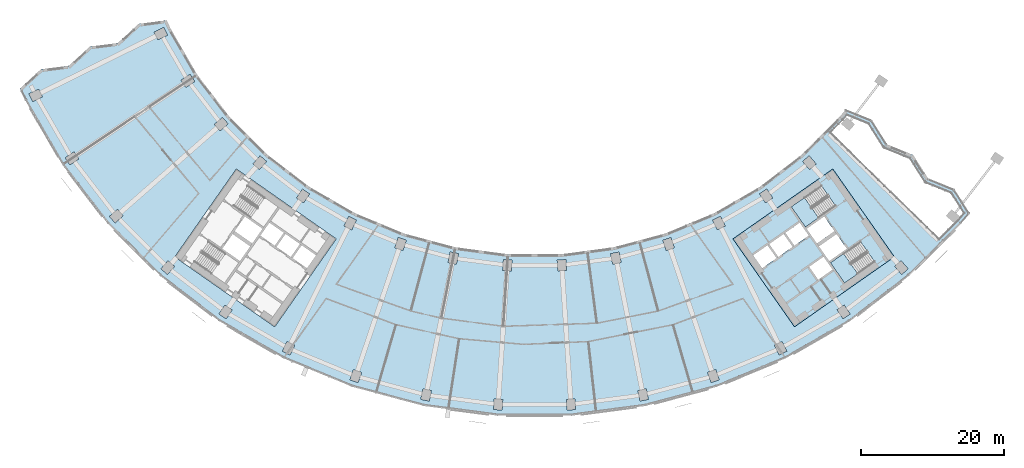
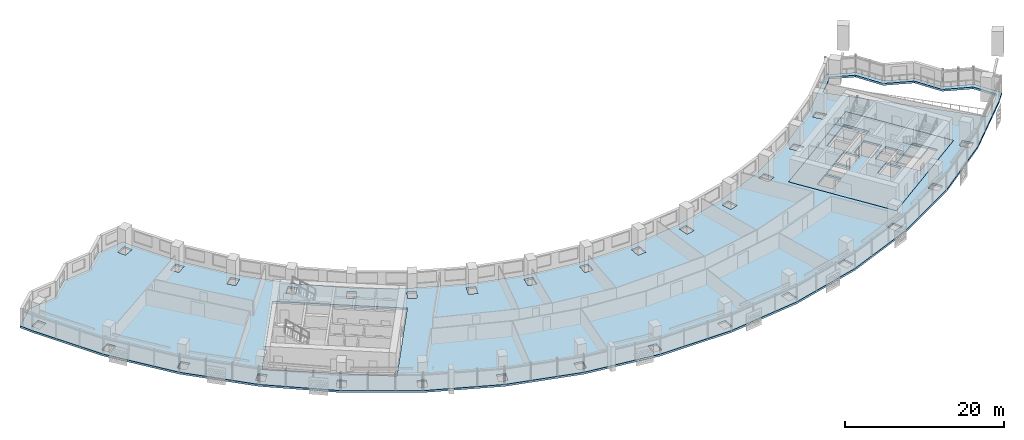
# One storey, part 2 of 30: 4 slabs, 2 elements without a shape of their own.
"""IFC4 building model written with IfcOpenShell, lengths in metres."""

import ifcopenshell
import ifcopenshell.guid

model = None  # the IFC model being written
_history = None  # IfcOwnerHistory: only IFC2X3 demands one
_inside = {}  # id of a spatial element -> (the spatial element, [elements in it])
_under = {}  # id of a project, library or spatial element -> (it, [spatial elements below it])
_declared = {}  # id of a project -> (the project, [libraries it declares])
_typed = {}  # id of a type object -> (the type object, [elements of that type])
_made_of = {}  # id of a material, layer set ... -> (it, [elements and type objects made of it])


def new_model(schema):
    """Start an empty IFC model of exactly this schema.

    Asked for "IFC4X3", IfcOpenShell would pick the latest addendum, in which some entities
    have other attributes; the version numbers below select the first issue.
    IFC2X3 requires an IfcOwnerHistory on every rooted entity: one is made here for all.
    """
    global model, _history
    if schema == "IFC4X3":
        model = ifcopenshell.file(schema_version=(4, 3, 0, 0))
    else:
        model = ifcopenshell.file(schema=schema)
    _inside.clear()
    _under.clear()
    _declared.clear()
    _typed.clear()
    _made_of.clear()
    _history = None
    if model.schema == "IFC2X3":
        org = make("IfcOrganization", Name="unknown")
        user = make(
            "IfcPersonAndOrganization",
            ThePerson=make("IfcPerson", FamilyName="unknown"),
            TheOrganization=org,
        )
        app = make(
            "IfcApplication",
            ApplicationDeveloper=org,
            Version="unknown",
            ApplicationFullName="unknown",
            ApplicationIdentifier="unknown",
        )
        _history = make(
            "IfcOwnerHistory",
            OwningUser=user,
            OwningApplication=app,
            ChangeAction="ADDED",
            CreationDate=0,
        )
    return model


def make(cls, **values):
    """One entity of the class cls with the attributes given. An attribute that is None is left unset."""
    return model.create_entity(
        cls, **{name: value for name, value in values.items() if value is not None}
    )


def rooted(cls, **values):
    """An entity with a GlobalId (a new one), such as an element, a storey or a relation."""
    return make(cls, GlobalId=ifcopenshell.guid.new(), OwnerHistory=_history, **values)


def si_unit(unit_type, name, prefix=None):
    """IfcSIUnit, for example si_unit("LENGTHUNIT", "METRE", prefix="MILLI")."""
    return make("IfcSIUnit", UnitType=unit_type, Prefix=prefix, Name=name)


def assignment(units):
    """IfcUnitAssignment: the units of a project."""
    return None if units is None else make("IfcUnitAssignment", Units=units)


def point(xyz):
    """IfcCartesianPoint."""
    return None if xyz is None else make("IfcCartesianPoint", Coordinates=xyz)


def direction(xyz):
    """IfcDirection."""
    return None if xyz is None else make("IfcDirection", DirectionRatios=xyz)


def frame(location, z_axis=None, x_axis=None):
    """IfcAxis2Placement3D, a coordinate frame: its origin and axes. An axis left out is left unset."""
    return make(
        "IfcAxis2Placement3D",
        Location=point(location),
        Axis=direction(z_axis),
        RefDirection=direction(x_axis),
    )


def origin():
    """The frame at (0, 0, 0) with its axes left unset."""
    return frame((0.0, 0.0, 0.0))


def place(relative_to, where):
    """IfcLocalPlacement: puts the frame where relative to a parent placement (None: the world)."""
    return make(
        "IfcLocalPlacement", PlacementRelTo=relative_to, RelativePlacement=where
    )


def context(
    kind, dimensions, precision=None, world=None, true_north=None, identifier=None
):
    """IfcGeometricRepresentationContext, for example the 3D "Model" context."""
    return make(
        "IfcGeometricRepresentationContext",
        ContextIdentifier=identifier,
        ContextType=kind,
        CoordinateSpaceDimension=dimensions,
        Precision=precision,
        WorldCoordinateSystem=world,
        TrueNorth=true_north,
    )


def subcontext(parent, identifier, kind, view, scale=None):
    """IfcGeometricRepresentationSubContext, for example "Body" below "Model"."""
    return make(
        "IfcGeometricRepresentationSubContext",
        ContextIdentifier=identifier,
        ContextType=kind,
        ParentContext=parent,
        TargetScale=scale,
        TargetView=view,
    )


def project(units=None, contexts=None):
    """IfcProject with its units and contexts."""
    return rooted(
        "IfcProject",
        Name="project",
        RepresentationContexts=contexts,
        UnitsInContext=assignment(units),
    )


def spatial(cls, under=None, at=None, **own):
    """A site, building, storey or space (cls), placed at a placement, below another one or the project."""
    s = rooted(cls, ObjectPlacement=at, **own)
    if under is not None:
        _under.setdefault(under.id(), (under, []))[1].append(s)
    return s


def polyline(points):
    """IfcPolyline through the points."""
    return make("IfcPolyline", Points=[point(p) for p in points])


def outline(outer, holes=None, kind="AREA"):
    """IfcArbitraryClosedProfileDef: a profile drawn as a closed curve; with holes, ...WithVoids."""
    if holes is None:
        return make("IfcArbitraryClosedProfileDef", ProfileType=kind, OuterCurve=outer)
    return make(
        "IfcArbitraryProfileDefWithVoids",
        ProfileType=kind,
        OuterCurve=outer,
        InnerCurves=holes,
    )


def extrude(swept, where, along, depth):
    """IfcExtrudedAreaSolid: the profile swept, set in the frame where, extruded along a direction by depth."""
    return make(
        "IfcExtrudedAreaSolid",
        SweptArea=swept,
        Position=where,
        ExtrudedDirection=direction(along),
        Depth=depth,
    )


def shape(context_of_items, identifier, shape_type, items):
    """IfcShapeRepresentation: the items that make up one representation, for example the "Body"."""
    return make(
        "IfcShapeRepresentation",
        ContextOfItems=context_of_items,
        RepresentationIdentifier=identifier,
        RepresentationType=shape_type,
        Items=items,
    )


def material(Name=None, Category=None):
    """IfcMaterial."""
    return make("IfcMaterial", Name=Name, Category=Category)


def layer(
    of_material, thickness, ventilated=None, Name=None, Category=None, Priority=None
):
    """IfcMaterialLayer: one layer of a wall or slab, of a material (None: an air gap)."""
    return make(
        "IfcMaterialLayer",
        Material=of_material,
        LayerThickness=thickness,
        IsVentilated=ventilated,
        Name=Name,
        Category=Category,
        Priority=Priority,
    )


def layer_set(layers, Name=None):
    """IfcMaterialLayerSet."""
    return make("IfcMaterialLayerSet", MaterialLayers=layers, LayerSetName=Name)


def made_of(thing, what):
    """Note that an element or type object is made of a material, layer set ...; save() writes the relation."""
    if what is not None:
        _made_of.setdefault(what.id(), (what, []))[1].append(thing)
    return thing


def type_object(cls, material=None, **own):
    """A type object (cls), such as IfcWallType, which elements share."""
    return made_of(rooted(cls, **own), material)


def element(
    cls,
    number,
    at=None,
    inside=None,
    cuts=None,
    type_object=None,
    material=None,
    context=None,
    identifier="Body",
    shape_type=None,
    held_by="IfcProductDefinitionShape",
    body=None,
    shapes=None,
    **own,
):
    """One element of the class cls, such as IfcWall. Its Tag is "e" and its number.

    at: its placement. inside: the storey or other place that contains it. cuts: it is an
    opening in that element (IfcRelVoidsElement). A single representation is given by context,
    identifier, shape_type and body (its items); several are given by shapes. held_by: the class
    of the entity that holds the representations. save() writes the other relations.
    """
    e = rooted(cls, Tag="e%d" % number, ObjectPlacement=at, **own)
    if body is not None:
        shapes = [shape(context, identifier, shape_type, body)]
    if shapes is not None:
        e.Representation = make(held_by, Representations=shapes)
    if inside is not None:
        _inside.setdefault(inside.id(), (inside, []))[1].append(e)
    if cuts is not None:
        rooted(
            "IfcRelVoidsElement", RelatingBuildingElement=cuts, RelatedOpeningElement=e
        )
    if type_object is not None:
        _typed.setdefault(type_object.id(), (type_object, []))[1].append(e)
    return made_of(e, material)


def aggregate(whole, parts):
    """IfcRelAggregates: a whole, such as a stair, and the parts it consists of."""
    return rooted("IfcRelAggregates", RelatingObject=whole, RelatedObjects=parts)


def save(model, path):
    """Write the relations noted so far, then the file.

    IfcRelAggregates (storeys below a building ...), IfcRelContainedInSpatialStructure (elements
    in a storey), IfcRelDefinesByType, IfcRelAssociatesMaterial and IfcRelDeclares: one each for
    every whole, place, type object, material and project.
    """
    for whole, parts in _under.values():
        aggregate(whole, parts)
    for where, things in _inside.values():
        rooted(
            "IfcRelContainedInSpatialStructure",
            RelatedElements=things,
            RelatingStructure=where,
        )
    for kind, things in _typed.values():
        rooted("IfcRelDefinesByType", RelatedObjects=things, RelatingType=kind)
    for what, things in _made_of.values():
        rooted("IfcRelAssociatesMaterial", RelatedObjects=things, RelatingMaterial=what)
    for by, libraries in _declared.values():
        rooted("IfcRelDeclares", RelatingContext=by, RelatedDefinitions=libraries)
    model.write(path)


model = new_model("IFC4")

# Units and contexts
model_context = context("Model", 3, precision=1e-05, world=origin(), true_north=direction((0.0, 1.0)))
body_context = subcontext(model_context, "Body", "Model", "MODEL_VIEW")
ifc_project = project(units=[si_unit("LENGTHUNIT", "METRE"), si_unit("AREAUNIT", "SQUARE_METRE"), si_unit("VOLUMEUNIT", "CUBIC_METRE"), si_unit("PLANEANGLEUNIT", "RADIAN"), si_unit("MASSUNIT", "GRAM", prefix="KILO")], contexts=[model_context])

# Site, building, storey
site_placement = place(None, origin())
site = spatial("IfcSite", under=ifc_project, at=site_placement, CompositionType="ELEMENT")
building_placement = place(site_placement, origin())
building = spatial("IfcBuilding", under=site, at=building_placement, Name="Qamariyya Broadcast Tower", CompositionType="ELEMENT")
storey_placement = place(building_placement, frame((0.0, 0.0, 98.699951171875)))
storey = spatial("IfcBuildingStorey", under=building, at=storey_placement, Name="L21", CompositionType="ELEMENT", Elevation=98.699951171875)

# Slabs
ifc_material_1 = material(Name="Concrete C40/50", Category="concrete")
ifc_layer_1 = layer(ifc_material_1, 0.300048828125)
ifc_layer_set_1 = layer_set([ifc_layer_1], Name="Core floor slab 300 mm Concrete C40/50")
slab_type_1 = type_object("IfcSlabType", Name="Core floor slab 300 mm Concrete C40/50", PredefinedType="FLOOR", material=ifc_layer_set_1)
slab_1_placement = place(storey_placement, frame((0.0, 0.0, -0.300048828125)))
element("IfcSlab", 1, at=slab_1_placement, inside=storey, type_object=slab_type_1, Name="k-E-L21-slab", PredefinedType="FLOOR", context=body_context, shape_type="SweptSolid", body=[
    extrude(outline(polyline([(36.32373046875, -66.734375), (50.286376953125, -56.95751953125), (41.6826171875, -44.67041015625), (27.719970703125, -54.447021484375), (36.32373046875, -66.734375)]), holes=[polyline([(31.80859375, -58.542724609375), (33.8154296875, -57.137451171875), (32.5537109375, -55.335205078125), (30.546630859375, -56.740478515625), (31.80859375, -58.542724609375)]), polyline([(34.061279296875, -56.96533203125), (36.068115234375, -55.56005859375), (34.806396484375, -53.758056640625), (32.79931640625, -55.163330078125), (34.061279296875, -56.96533203125)]), polyline([(36.31396484375, -55.387939453125), (38.32080078125, -53.982666015625), (37.058837890625, -52.1806640625), (35.052001953125, -53.5859375), (36.31396484375, -55.387939453125)]), polyline([(38.378662109375, -58.3369140625), (40.3857421875, -56.931640625), (41.6474609375, -58.73388671875), (39.640625, -60.13916015625), (38.378662109375, -58.3369140625)]), polyline([(39.742431640625, -55.489990234375), (42.199951171875, -53.769287109375), (43.6337890625, -55.817138671875), (41.17626953125, -57.537841796875), (39.742431640625, -55.489990234375)]), polyline([(39.45556640625, -55.080322265625), (41.9130859375, -53.359619140625), (40.47900390625, -51.311767578125), (38.021728515625, -53.032470703125), (39.45556640625, -55.080322265625)]), polyline([(40.082275390625, -47.01171875), (35.870849609375, -49.960693359375), (37.849609375, -52.78662109375), (42.06103515625, -49.837890625), (40.082275390625, -47.01171875)]), polyline([(45.559814453125, -54.834716796875), (41.348388671875, -57.783447265625), (43.3271484375, -60.609619140625), (47.538818359375, -57.66064453125), (45.559814453125, -54.834716796875)])]), origin(), (0.0, 0.0, 1.0), 0.300048828125),
])
ifc_layer_2 = layer(ifc_material_1, 0.300048828125)
ifc_layer_set_2 = layer_set([ifc_layer_2], Name="Post-tensioned floor slab 300 C40/50")
slab_type_2 = type_object("IfcSlabType", Name="Post-tensioned floor slab 300 C40/50", PredefinedType="FLOOR", material=ifc_layer_set_2)
slab_2_placement = place(storey_placement, frame((0.0, 0.0, -0.300048828125)))
element("IfcSlab", 2, at=slab_2_placement, inside=storey, type_object=slab_type_2, Name="Floor slab S4 L21", PredefinedType="FLOOR", context=body_context, shape_type="SweptSolid", body=[
    extrude(outline(polyline([(-68.99609375, -30.73828125), (-71.914794921875, -33.417724609375), (-71.1220703125, -35.073486328125), (-65.935546875, -44.056640625), (-59.620849609375, -52.2861328125), (-52.2861328125, -59.620849609375), (-44.056640625, -65.935546875), (-35.073486328125, -71.1220703125), (-25.490234375, -75.091552734375), (-15.470703125, -77.7763671875), (-5.1865234375, -79.130126953125), (5.1865234375, -79.130126953125), (15.470703125, -77.7763671875), (25.490234375, -75.091552734375), (35.073486328125, -71.1220703125), (44.056640625, -65.935546875), (52.2861328125, -59.620849609375), (59.620849609375, -52.2861328125), (60.815185546875, -50.89208984375), (58.689453125, -47.54833984375), (55.037841796875, -46.057373046875), (52.9111328125, -42.713134765625), (49.260498046875, -41.22265625), (47.1328125, -37.877685546875), (43.483154296875, -36.38818359375), (42.62939453125, -37.385009765625), (37.385009765625, -42.62939453125), (31.500732421875, -47.144287109375), (25.077880859375, -50.852783203125), (18.2255859375, -53.69091796875), (11.0615234375, -55.610595703125), (3.708251953125, -56.57861328125), (-3.708251953125, -56.57861328125), (-11.0615234375, -55.610595703125), (-18.2255859375, -53.69091796875), (-25.077880859375, -50.852783203125), (-31.500732421875, -47.144287109375), (-37.385009765625, -42.62939453125), (-42.62939453125, -37.385009765625), (-47.144287109375, -31.500732421875), (-50.852783203125, -25.077880859375), (-51.41943359375, -23.89404296875), (-55.330322265625, -24.387939453125), (-58.251220703125, -27.068603515625), (-62.163330078125, -27.563232421875), (-65.0830078125, -30.2431640625), (-68.99609375, -30.73828125)]), holes=[polyline([(-5.73291015625, -78.292724609375), (-5.634765625, -76.7958984375), (-4.437255859375, -76.874267578125), (-4.535400390625, -78.37109375), (-5.73291015625, -78.292724609375)]), polyline([(-15.903076171875, -76.87451171875), (-15.6103515625, -75.4033203125), (-14.43359375, -75.637451171875), (-14.72607421875, -77.108642578125), (-15.903076171875, -76.87451171875)]), polyline([(-25.80126953125, -74.14111328125), (-25.319091796875, -72.720703125), (-24.1826171875, -73.1064453125), (-24.664794921875, -74.52685546875), (-25.80126953125, -74.14111328125)]), polyline([(-35.2578125, -70.13916015625), (-34.59423828125, -68.7939453125), (-33.51806640625, -69.324462890625), (-34.181640625, -70.669921875), (-35.2578125, -70.13916015625)]), polyline([(-44.111083984375, -64.93701171875), (-43.27783203125, -63.689697265625), (-42.280029296875, -64.3564453125), (-43.11328125, -65.603759765625), (-44.111083984375, -64.93701171875)]), polyline([(-52.209716796875, -58.623779296875), (-51.220703125, -57.49609375), (-50.318603515625, -58.287353515625), (-51.3076171875, -59.4150390625), (-52.209716796875, -58.623779296875)]), polyline([(-4.45751953125, -58.83447265625), (-4.359375, -57.337646484375), (-3.161865234375, -57.416015625), (-3.260009765625, -58.912841796875), (-4.45751953125, -58.83447265625)]), polyline([(-11.80615234375, -56.278076171875), (-10.629150390625, -56.51220703125), (-10.921875, -57.9833984375), (-12.098876953125, -57.749267578125), (-11.80615234375, -56.278076171875)]), polyline([(-41.6826171875, -44.67041015625), (-27.719970703125, -54.447021484375), (-36.32373046875, -66.734375), (-50.286376953125, -56.95751953125), (-41.6826171875, -44.67041015625)]), polyline([(-19.533203125, -55.676025390625), (-19.051025390625, -54.255615234375), (-17.91455078125, -54.641357421875), (-18.396728515625, -56.061767578125), (-19.533203125, -55.676025390625)]), polyline([(-26.633056640625, -52.650146484375), (-25.9697265625, -51.3046875), (-24.8935546875, -51.83544921875), (-25.556884765625, -53.180908203125), (-26.633056640625, -52.650146484375)]), polyline([(-59.4150390625, -51.3076171875), (-58.287353515625, -50.318603515625), (-57.49609375, -51.220703125), (-58.623779296875, -52.209716796875), (-59.4150390625, -51.3076171875)]), polyline([(-33.277587890625, -48.723388671875), (-32.444091796875, -47.47607421875), (-31.4462890625, -48.142822265625), (-32.27978515625, -49.39013671875), (-33.277587890625, -48.723388671875)]), polyline([(-39.3525390625, -43.962890625), (-38.363525390625, -42.835205078125), (-37.461181640625, -43.62646484375), (-38.4501953125, -44.754150390625), (-39.3525390625, -43.962890625)]), polyline([(-65.603759765625, -43.11328125), (-64.3564453125, -42.280029296875), (-63.689697265625, -43.27783203125), (-64.93701171875, -44.111083984375), (-65.603759765625, -43.11328125)]), polyline([(-44.754150390625, -38.4501953125), (-43.62646484375, -37.461181640625), (-42.835205078125, -38.363525390625), (-43.962890625, -39.3525390625), (-44.754150390625, -38.4501953125)]), polyline([(-69.324462890625, -33.51806640625), (-68.7939453125, -34.59423828125), (-70.13916015625, -35.2578125), (-70.669921875, -34.181640625), (-69.324462890625, -33.51806640625)]), polyline([(-48.142822265625, -31.4462890625), (-47.47607421875, -32.444091796875), (-48.723388671875, -33.277587890625), (-49.39013671875, -32.27978515625), (-48.142822265625, -31.4462890625)]), polyline([(-53.180908203125, -25.556884765625), (-51.83544921875, -24.8935546875), (-51.3046875, -25.9697265625), (-52.650146484375, -26.633056640625), (-53.180908203125, -25.556884765625)]), polyline([(4.535400390625, -78.37109375), (4.437255859375, -76.874267578125), (5.634765625, -76.7958984375), (5.73291015625, -78.292724609375), (4.535400390625, -78.37109375)]), polyline([(14.72607421875, -77.108642578125), (14.43359375, -75.637451171875), (15.6103515625, -75.4033203125), (15.903076171875, -76.87451171875), (14.72607421875, -77.108642578125)]), polyline([(24.664794921875, -74.52685546875), (24.1826171875, -73.1064453125), (25.319091796875, -72.720703125), (25.80126953125, -74.14111328125), (24.664794921875, -74.52685546875)]), polyline([(34.181640625, -70.669921875), (33.51806640625, -69.324462890625), (34.59423828125, -68.7939453125), (35.2578125, -70.13916015625), (34.181640625, -70.669921875)]), polyline([(43.11328125, -65.603759765625), (42.280029296875, -64.3564453125), (43.27783203125, -63.689697265625), (44.111083984375, -64.93701171875), (43.11328125, -65.603759765625)]), polyline([(51.3076171875, -59.4150390625), (50.318603515625, -58.287353515625), (51.220703125, -57.49609375), (52.209716796875, -58.623779296875), (51.3076171875, -59.4150390625)]), polyline([(3.161865234375, -57.416015625), (4.359375, -57.337646484375), (4.45751953125, -58.83447265625), (3.260009765625, -58.912841796875), (3.161865234375, -57.416015625)]), polyline([(10.629150390625, -56.51220703125), (11.80615234375, -56.278076171875), (12.098876953125, -57.749267578125), (10.921875, -57.9833984375), (10.629150390625, -56.51220703125)]), polyline([(36.32373046875, -66.734375), (27.719970703125, -54.447021484375), (41.6826171875, -44.67041015625), (50.286376953125, -56.95751953125), (36.32373046875, -66.734375)]), polyline([(18.396728515625, -56.061767578125), (17.91455078125, -54.641357421875), (19.051025390625, -54.255615234375), (19.533203125, -55.676025390625), (18.396728515625, -56.061767578125)]), polyline([(25.556884765625, -53.180908203125), (24.8935546875, -51.83544921875), (25.9697265625, -51.3046875), (26.633056640625, -52.650146484375), (25.556884765625, -53.180908203125)]), polyline([(31.4462890625, -48.142822265625), (32.444091796875, -47.47607421875), (33.277587890625, -48.723388671875), (32.27978515625, -49.39013671875), (31.4462890625, -48.142822265625)]), polyline([(48.75439453125, -41.544677734375), (48.7900390625, -41.594970703125), (48.830810546875, -41.641357421875), (48.8759765625, -41.68310546875), (48.92529296875, -41.72021484375), (48.97802734375, -41.751953125), (49.033935546875, -41.7783203125), (52.507568359375, -43.1962890625), (54.531494140625, -46.37939453125), (54.5673828125, -46.4296875), (54.60791015625, -46.475830078125), (54.6533203125, -46.517822265625), (54.702392578125, -46.554931640625), (54.75537109375, -46.586669921875), (54.81103515625, -46.61279296875), (58.28564453125, -48.031494140625), (60.070556640625, -50.839111328125), (59.18017578125, -51.878173828125), (56.53515625, -54.5234375), (41.279052734375, -39.583740234375), (43.053466796875, -37.80908203125), (43.0849609375, -37.775146484375), (43.6572265625, -37.107177734375), (46.729248046875, -38.36083984375), (48.75439453125, -41.544677734375)]), polyline([(38.4501953125, -44.754150390625), (37.461181640625, -43.62646484375), (38.363525390625, -42.835205078125), (39.3525390625, -43.962890625), (38.4501953125, -44.754150390625)])]), origin(), (0.0, 0.0, 1.0), 0.300048828125),
])

# Stair, slab
ifc_material_2 = material(Name="Concrete C50/60", Category="concrete")
stair_type = type_object("IfcStairType", Name="Exit stair 22 risers of 173 mm", PredefinedType="HALF_TURN_STAIR", material=ifc_material_2)
stair_1_placement = place(storey_placement, origin())
stair_1 = element("IfcStair", 3, at=stair_1_placement, inside=storey, type_object=stair_type, Name="L21 Stair E2", PredefinedType="HALF_TURN_STAIR")
ifc_layer_3 = layer(ifc_material_2, 0.199951171875)
ifc_layer_set_3 = layer_set([ifc_layer_3], Name="Stair landing")
slab_type_3 = type_object("IfcSlabType", Name="Stair landing", PredefinedType="LANDING", material=ifc_layer_set_3)
slab_3_placement = place(storey_placement, frame((0.0, 0.0, 1.699951171875)))
slab_3 = element("IfcSlab", 4, at=slab_3_placement, type_object=slab_type_3, Name="ST-E2 landing 1", PredefinedType="LANDING", context=body_context, shape_type="SweptSolid", body=[
    extrude(outline(polyline([(37.71337890625, -48.67041015625), (35.870849609375, -49.960693359375), (37.849609375, -52.78662109375), (39.692138671875, -51.49658203125), (37.71337890625, -48.67041015625)])), origin(), (0.0, 0.0, 1.0), 0.2001953125),
])
aggregate(stair_1, [slab_3])

stair_2_placement = place(storey_placement, origin())
stair_2 = element("IfcStair", 5, at=stair_2_placement, inside=storey, type_object=stair_type, Name="L21 Stair E1", PredefinedType="HALF_TURN_STAIR")
slab_4_placement = place(storey_placement, frame((0.0, 0.0, 1.699951171875)))
slab_4 = element("IfcSlab", 6, at=slab_4_placement, type_object=slab_type_3, Name="ST-E1 landing 1", PredefinedType="LANDING", context=body_context, shape_type="SweptSolid", body=[
    extrude(outline(polyline([(43.19091796875, -56.493408203125), (41.348388671875, -57.783447265625), (43.3271484375, -60.609619140625), (45.169677734375, -59.319580078125), (43.19091796875, -56.493408203125)])), origin(), (0.0, 0.0, 1.0), 0.2001953125),
])
aggregate(stair_2, [slab_4])

save(model, "model.ifc")
